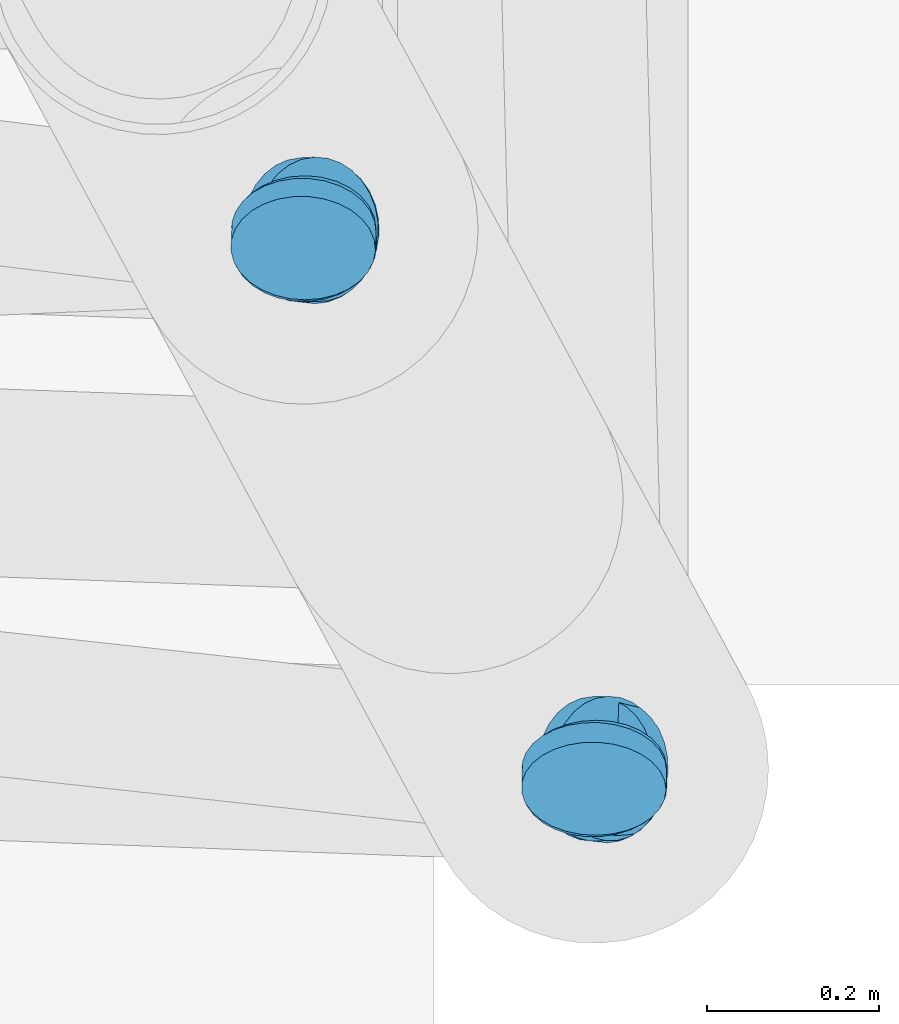
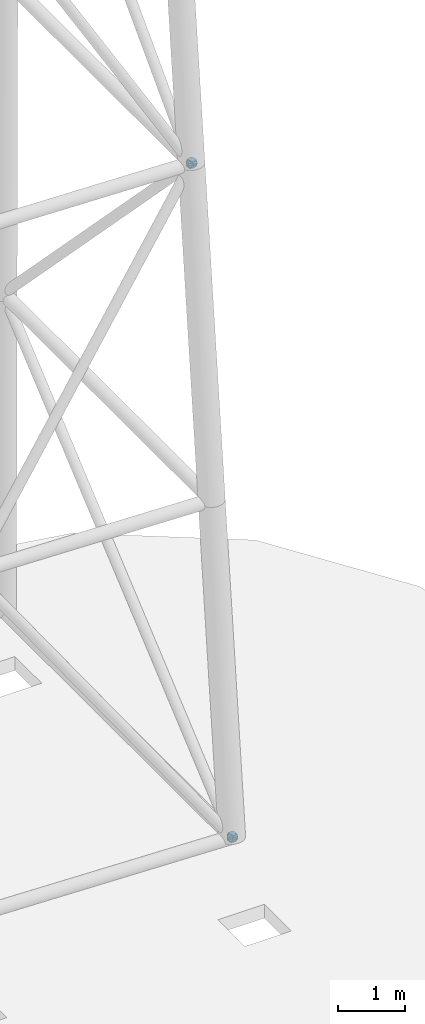
# One storey, part 6 of 10: 8 discrete accessories.
"""IFC4 building model written with IfcOpenShell, lengths in metres."""

from ifc_helpers import new_model, si_unit, direction, frame, origin, origin_2d, place, context, subcontext, project, spatial, circle, extrude, material, material_profile, profile_set, type_object, element, save


model = new_model("IFC4")

# Units and contexts
model_context = context("Model", 3, precision=1e-05, world=origin(), true_north=direction((0.0, 1.0)))
body_context = subcontext(model_context, "Body", "Model", "MODEL_VIEW")
ifc_project = project(units=[si_unit("LENGTHUNIT", "METRE"), si_unit("AREAUNIT", "SQUARE_METRE"), si_unit("VOLUMEUNIT", "CUBIC_METRE"), si_unit("PLANEANGLEUNIT", "RADIAN"), si_unit("MASSUNIT", "GRAM", prefix="KILO")], contexts=[model_context])

# Site, building, storey
site_placement = place(None, origin())
site = spatial("IfcSite", under=ifc_project, at=site_placement, CompositionType="ELEMENT")
building_placement = place(site_placement, origin())
building = spatial("IfcBuilding", under=site, at=building_placement, Name="Alderwake Tower", CompositionType="ELEMENT")
storey_placement = place(building_placement, frame((0.0, 0.0, 319.25)))
storey = spatial("IfcBuildingStorey", under=building, at=storey_placement, Name="Upper roof", CompositionType="ELEMENT", Elevation=319.25)

# Discrete accessories
ifc_material = material(Name="Steel ASTM A572 Grade 50", Category="steel")
ifc_material_profile = material_profile(ifc_material, circle(Radius=0.084228515625, at=origin_2d()), Name="HSS6.625X0.280 cap")
ifc_profile_set = profile_set([ifc_material_profile], Name="Steel ASTM A572 Grade 50")
discrete_accessory_type = type_object("IfcDiscreteAccessoryType", Name="End cap plate HSS6.625X0.280", PredefinedType="USERDEFINED", material=ifc_profile_set)
for number, where, z_axis, x_axis, name in (
    (1, (24.820556640625, 57.58349609375, 1.75), (0.611598234616, 0.016309286256, 0.791000383436), (-0.026657190239, 0.999644633962, 0.0), "End cap MD1.1 N"),
    (2, (24.820556640625, 57.58349609375, 1.75), (-0.016286018571, -0.765442872847, 0.643297733563), (0.999773730057, -0.021271781491, 0.0), "End cap MD4.1 N"),
    (3, (24.820556640625, 57.58349609375, 1.75), (0.577694168914, -0.065092300723, -0.813653759034), (0.111967534122, 0.993711865333, 0.0), "End cap MD1.2 S"),
    (4, (24.820556640625, 57.58349609375, 1.75), (0.024350039735, -0.738617871948, -0.673684432656), (0.999457029914, 0.032949132854, 0.0), "End cap MD4.2 S"),
):
    element("IfcDiscreteAccessory", number, at=place(storey_placement, frame(where, z_axis=z_axis, x_axis=x_axis)), inside=storey, type_object=discrete_accessory_type, Name=name, ObjectType="END CAP", PredefinedType="USERDEFINED", context=body_context, shape_type="SweptSolid", body=[
        extrude(circle(Radius=0.084228515625, at=origin_2d()), origin(), (0.0, 0.0, 1.0), 0.030029296875),
    ])
discrete_accessory_1_placement = place(storey_placement, frame((24.482421875, 58.2109375, 13.75), z_axis=(0.539355387482, 0.024516153976, 0.841721286525), x_axis=(-0.045407660919, 0.99896854021, 0.0)))
element("IfcDiscreteAccessory", 5, at=discrete_accessory_1_placement, inside=storey, type_object=discrete_accessory_type, Name="End cap MD1.3 N", ObjectType="END CAP", PredefinedType="USERDEFINED", context=body_context, shape_type="SweptSolid", body=[
    extrude(circle(Radius=0.084228515625, at=origin_2d()), origin(), (0.0, 0.0, 1.0), 0.02978515625),
])
discrete_accessory_2_placement = place(storey_placement, frame((24.482421875, 58.2109375, 13.75), z_axis=(-0.024374138351, -0.698725299406, 0.714974724973), x_axis=(0.999392117738, -0.034862515735, 0.0)))
element("IfcDiscreteAccessory", 6, at=discrete_accessory_2_placement, inside=storey, type_object=discrete_accessory_type, Name="End cap MD4.3 N", ObjectType="END CAP", PredefinedType="USERDEFINED", context=body_context, shape_type="SweptSolid", body=[
    extrude(circle(Radius=0.084228515625, at=origin_2d()), origin(), (0.0, 0.0, 1.0), 0.030029296875),
])
discrete_accessory_3_placement = place(storey_placement, frame((24.482421875, 58.2109375, 13.75), z_axis=(0.497963331657, -0.057143333141, -0.86531333042), x_axis=(0.114005909847, 0.993480071526, 0.0)))
element("IfcDiscreteAccessory", 7, at=discrete_accessory_3_placement, inside=storey, type_object=discrete_accessory_type, Name="End cap MD1.4 S", ObjectType="END CAP", PredefinedType="USERDEFINED", context=body_context, shape_type="SweptSolid", body=[
    extrude(circle(Radius=0.084228515625, at=origin_2d()), origin(), (0.0, 0.0, 1.0), 0.02978515625),
])
discrete_accessory_4_placement = place(storey_placement, frame((24.482421875, 58.2109375, 13.75), z_axis=(0.01631416887, -0.660723839247, -0.750451768034), x_axis=(0.999695307732, 0.024683834759, 0.0)))
element("IfcDiscreteAccessory", 8, at=discrete_accessory_4_placement, inside=storey, type_object=discrete_accessory_type, Name="End cap MD4.4 S", ObjectType="END CAP", PredefinedType="USERDEFINED", context=body_context, shape_type="SweptSolid", body=[
    extrude(circle(Radius=0.084228515625, at=origin_2d()), origin(), (0.0, 0.0, 1.0), 0.030029296875),
])

save(model, "model.ifc")
